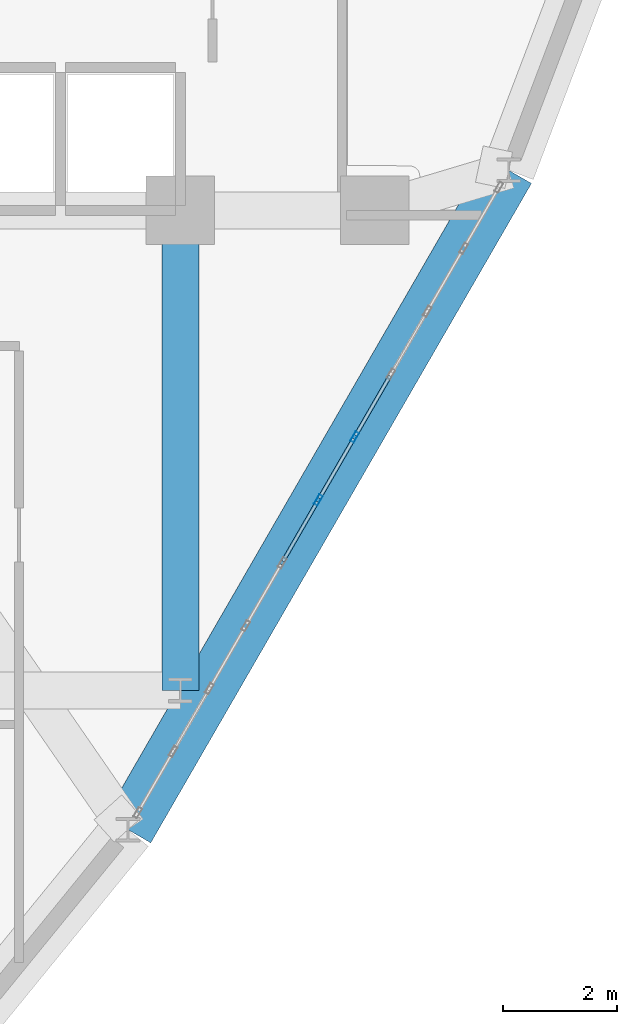
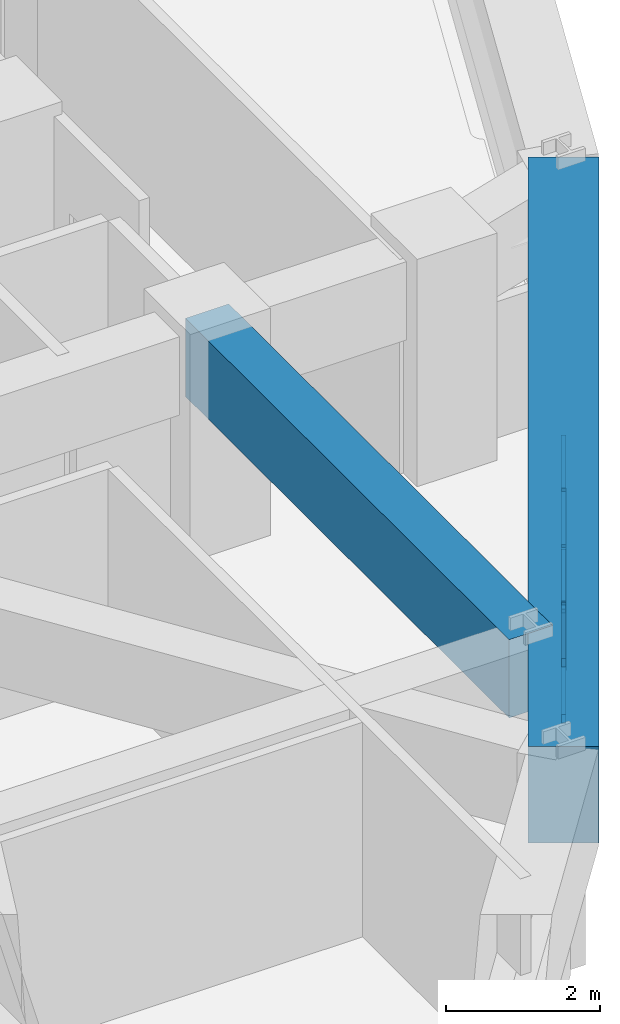
# One storey, part 7 of 16: 9 members, 2 beams, 1 element without a shape of its own.
"""IFC4 building model written with IfcOpenShell, lengths in metres."""

from ifc_helpers import new_model, si_unit, derived_unit, direction, frame, origin, origin_2d, place, context, subcontext, project, spatial, rectangle, hollow_rectangle, extrude, source, transform, mapped, material, layer, layer_set, material_profile, profile_set, type_object, element, aggregate, save


model = new_model("IFC4")

# Units and contexts
model_context = context("Model", 3, precision=1e-05, world=origin(), true_north=direction((0.0, 1.0)))
body_context = subcontext(model_context, "Body", "Model", "MODEL_VIEW")
ifc_project = project(units=[si_unit("LENGTHUNIT", "METRE"), si_unit("AREAUNIT", "SQUARE_METRE"), si_unit("VOLUMEUNIT", "CUBIC_METRE"), si_unit("PLANEANGLEUNIT", "RADIAN"), si_unit("MASSUNIT", "GRAM", prefix="KILO"), derived_unit("THERMALTRANSMITTANCEUNIT", [(si_unit("POWERUNIT", "WATT"), 1), (si_unit("LENGTHUNIT", "METRE"), -2), (si_unit("THERMODYNAMICTEMPERATUREUNIT", "KELVIN"), -1)])], contexts=[model_context])

# Site, building, storey
site_placement = place(None, origin())
site = spatial("IfcSite", under=ifc_project, at=site_placement, CompositionType="ELEMENT")
building_placement = place(site_placement, origin())
building = spatial("IfcBuilding", under=site, at=building_placement, Name="Korsvarv Bourse and Concert Hall", CompositionType="ELEMENT")
storey_placement = place(building_placement, frame((0.0, 0.0, 143.39990234375)))
storey = spatial("IfcBuildingStorey", under=building, at=storey_placement, Name="L36", CompositionType="ELEMENT", Elevation=143.39990234375)

# Beams
ifc_material_1 = material(Name="Concrete C50/60", Category="concrete")
ifc_material_profile_1 = material_profile(ifc_material_1, rectangle(XDim=0.64990234375, YDim=1.239990234375, at=origin_2d()), Name="RC-BM 650x1240")
ifc_profile_set_1 = profile_set([ifc_material_profile_1], Name="Concrete C50/60")
beam_type_1 = type_object("IfcBeamType", Name="BM-TR-SPN", PredefinedType="BEAM", material=ifc_profile_set_1)
shared_shape_1 = source(origin(), body_context, "Body", "SweptSolid", [
    extrude(rectangle(XDim=0.64990234375, YDim=1.239990234375, at=origin_2d()), origin(), (0.0, 0.0, 1.0), 8.39990234375),
])
beam_1_placement = place(storey_placement, frame((44.39990234375, 24.0, 2.780029296875), z_axis=(0.0, 1.0, 0.0), x_axis=(-1.0, 0.0, 0.0)))
element("IfcBeam", 1, at=beam_1_placement, inside=storey, type_object=beam_type_1, Name="L36 beam B-TRS", PredefinedType="BEAM", context=body_context, shape_type="MappedRepresentation", body=[
    mapped(shared_shape_1, transform((0.0, 0.0, 0.0), scale=1.0)),
])
ifc_material_profile_2 = material_profile(ifc_material_1, rectangle(XDim=0.919921875, YDim=1.530029296875, at=origin_2d()), Name="RC-BM 920x1530")
ifc_profile_set_2 = profile_set([ifc_material_profile_2], Name="Concrete C50/60")
beam_type_2 = type_object("IfcBeamType", Name="BM-TR-154", PredefinedType="BEAM", material=ifc_profile_set_2)
shared_shape_2 = source(origin(), body_context, "Body", "SweptSolid", [
    extrude(rectangle(XDim=0.919921875, YDim=1.530029296875, at=origin_2d()), origin(), (0.0, 0.0, 1.0), 13.327392578125),
])
beam_2_placement = place(storey_placement, frame((43.482421875, 21.560546875, 2.635009765625), z_axis=(0.499988853166, 0.866031839316, 0.0), x_axis=(-0.866031839316, 0.499988853166, 0.0)))
element("IfcBeam", 2, at=beam_2_placement, inside=storey, type_object=beam_type_2, Name="L36 beam B-TR6", PredefinedType="BEAM", context=body_context, shape_type="MappedRepresentation", body=[
    mapped(shared_shape_2, transform((0.0, 0.0, 0.0), scale=1.0)),
])

# Curtain wall, members
ifc_material_2 = material(Name="Anodised aluminium and triple low-E glazing", Category="glass")
ifc_layer = layer(ifc_material_2, 0.2099609375)
ifc_layer_set = layer_set([ifc_layer], Name="Anodised aluminium and triple low-E glazing")
curtain_wall_type = type_object("IfcCurtainWallType", Name="CW-SYS-2", PredefinedType="NOTDEFINED", material=ifc_layer_set)
curtain_wall_placement = place(storey_placement, origin())
curtain_wall = element("IfcCurtainWall", 3, at=curtain_wall_placement, inside=storey, type_object=curtain_wall_type, Name="L36 CW2 curtain wall CW-L36-F11", PredefinedType="NOTDEFINED")
ifc_material_3 = material(Name="Extruded aluminium EN AW-6063 T66", Category="aluminium")
ifc_material_profile_3 = material_profile(ifc_material_3, hollow_rectangle(XDim=0.070068359375, YDim=0.18994140625, WallThickness=0.0048828125, at=origin_2d()), Name="ALU-M 70x190")
ifc_profile_set_3 = profile_set([ifc_material_profile_3], Name="Extruded aluminium EN AW-6063 T66")
member_type_1 = type_object("IfcMemberType", Name="CWM-190", PredefinedType="MULLION", material=ifc_profile_set_3)
shared_shape_3 = source(origin(), body_context, "Body", "SweptSolid", [
    extrude(hollow_rectangle(XDim=0.070068359375, YDim=0.18994140625, WallThickness=0.0048828125, at=origin_2d()), origin(), (0.0, 0.0, 1.0), 1.8701171875),
])
member_1_placement = place(storey_placement, frame((46.814208984375, 27.33154296875, 0.0), z_axis=(0.0, 0.0, 1.0), x_axis=(-0.866025213439, 0.500000329688, 0.0)))
member_1 = element("IfcMember", 4, at=member_1_placement, type_object=member_type_1, Name="CW2 mullion 6", PredefinedType="MULLION", context=body_context, shape_type="MappedRepresentation", body=[
    mapped(shared_shape_3, transform((0.0, 0.0, 0.0), scale=1.0)),
])
member_2_placement = place(storey_placement, frame((47.44970703125, 28.43212890625, 0.0), z_axis=(0.0, 0.0, 1.0), x_axis=(-0.866025213439, 0.500000329688, 0.0)))
member_2 = element("IfcMember", 5, at=member_2_placement, type_object=member_type_1, Name="CW2 mullion 7", PredefinedType="MULLION", context=body_context, shape_type="MappedRepresentation", body=[
    mapped(shared_shape_3, transform((0.0, 0.0, 0.0), scale=1.0)),
])
ifc_material_profile_4 = material_profile(ifc_material_3, hollow_rectangle(XDim=0.06494140625, YDim=0.139892578125, WallThickness=0.00390625, at=origin_2d()), Name="ALU-T 65x140")
ifc_profile_set_4 = profile_set([ifc_material_profile_4], Name="Extruded aluminium EN AW-6063 T66")
member_type_2 = type_object("IfcMemberType", Name="CWT-140", PredefinedType="USERDEFINED", material=ifc_profile_set_4)
shared_shape_4 = source(origin(), body_context, "Body", "SweptSolid", [
    extrude(hollow_rectangle(XDim=0.06494140625, YDim=0.139892578125, WallThickness=0.00390625, at=origin_2d()), origin(), (0.0, 0.0, 1.0), 1.201171875),
])
member_3_placement = place(storey_placement, frame((47.46728515625, 28.46240234375, 0.03271484375), z_axis=(0.499833896597, 0.866121282392, 0.0), x_axis=(-0.866121282392, 0.499833896597, 0.0)))
member_3 = element("IfcMember", 6, at=member_3_placement, type_object=member_type_2, Name="CW2 transom 7.1", ObjectType="TRANSOM", PredefinedType="USERDEFINED", context=body_context, shape_type="MappedRepresentation", body=[
    mapped(shared_shape_4, transform((0.0, 0.0, 0.0), scale=1.0)),
])
member_4_placement = place(storey_placement, frame((47.46728515625, 28.46240234375, 1.837646484375), z_axis=(0.499833896597, 0.866121282392, 0.0), x_axis=(-0.866121282392, 0.499833896597, 0.0)))
member_4 = element("IfcMember", 7, at=member_4_placement, type_object=member_type_2, Name="CW2 transom 7.2", ObjectType="TRANSOM", PredefinedType="USERDEFINED", context=body_context, shape_type="MappedRepresentation", body=[
    mapped(shared_shape_4, transform((0.0, 0.0, 0.0), scale=1.0)),
])
ifc_material_profile_5 = material_profile(ifc_material_3, hollow_rectangle(XDim=0.06494140625, YDim=0.1650390625, WallThickness=0.0048828125, at=origin_2d()), Name="ALU-M 65x165")
ifc_profile_set_5 = profile_set([ifc_material_profile_5], Name="Extruded aluminium EN AW-6063 T66")
member_type_3 = type_object("IfcMemberType", Name="CWM-165", PredefinedType="MULLION", material=ifc_profile_set_5)
shared_shape_5 = source(origin(), body_context, "Body", "SweptSolid", [
    extrude(hollow_rectangle(XDim=0.06494140625, YDim=0.1650390625, WallThickness=0.0048828125, at=origin_2d()), origin(), (0.0, 0.0, 1.0), 2.1142578125),
])
member_5_placement = place(storey_placement, frame((46.796630859375, 27.30126953125, 0.065185546875), z_axis=(-0.283962804095, -0.491940441416, 0.823018668069), x_axis=(0.866070485951, -0.499921907266, 0.0)))
member_5 = element("IfcMember", 8, at=member_5_placement, type_object=member_type_3, Name="CW2 diagonal mullion 5", PredefinedType="MULLION", context=body_context, shape_type="MappedRepresentation", body=[
    mapped(shared_shape_5, transform((0.0, 0.0, 0.0), scale=1.0)),
])
shared_shape_6 = source(origin(), body_context, "Body", "SweptSolid", [
    extrude(hollow_rectangle(XDim=0.06494140625, YDim=0.139892578125, WallThickness=0.00390625, at=origin_2d()), origin(), (0.0, 0.0, 1.0), 1.200927734375),
])
member_6_placement = place(storey_placement, frame((46.1962890625, 26.26123046875, 0.03271484375), z_axis=(0.499921907266, 0.866070485951, 0.0), x_axis=(-0.866070485951, 0.499921907266, 0.0)))
member_6 = element("IfcMember", 9, at=member_6_placement, type_object=member_type_2, Name="CW2 transom 5.1", ObjectType="TRANSOM", PredefinedType="USERDEFINED", context=body_context, shape_type="MappedRepresentation", body=[
    mapped(shared_shape_6, transform((0.0, 0.0, 0.0), scale=1.0)),
])
member_7_placement = place(storey_placement, frame((46.1962890625, 26.26123046875, 1.837646484375), z_axis=(0.499921907266, 0.866070485951, 0.0), x_axis=(-0.866070485951, 0.499921907266, 0.0)))
member_7 = element("IfcMember", 10, at=member_7_placement, type_object=member_type_2, Name="CW2 transom 5.2", ObjectType="TRANSOM", PredefinedType="USERDEFINED", context=body_context, shape_type="MappedRepresentation", body=[
    mapped(shared_shape_6, transform((0.0, 0.0, 0.0), scale=1.0)),
])
member_8_placement = place(storey_placement, frame((46.831787109375, 27.36181640625, 0.03271484375), z_axis=(0.499921907266, 0.866070485951, 0.0), x_axis=(-0.866070485951, 0.499921907266, 0.0)))
member_8 = element("IfcMember", 11, at=member_8_placement, type_object=member_type_2, Name="CW2 transom 6.1", ObjectType="TRANSOM", PredefinedType="USERDEFINED", context=body_context, shape_type="MappedRepresentation", body=[
    mapped(shared_shape_6, transform((0.0, 0.0, 0.0), scale=1.0)),
])
member_9_placement = place(storey_placement, frame((46.831787109375, 27.36181640625, 1.837646484375), z_axis=(0.499921907266, 0.866070485951, 0.0), x_axis=(-0.866070485951, 0.499921907266, 0.0)))
member_9 = element("IfcMember", 12, at=member_9_placement, type_object=member_type_2, Name="CW2 transom 6.2", ObjectType="TRANSOM", PredefinedType="USERDEFINED", context=body_context, shape_type="MappedRepresentation", body=[
    mapped(shared_shape_6, transform((0.0, 0.0, 0.0), scale=1.0)),
])
aggregate(curtain_wall, [member_1, member_2, member_6, member_7, member_5, member_8, member_9, member_3, member_4])

save(model, "model.ifc")
